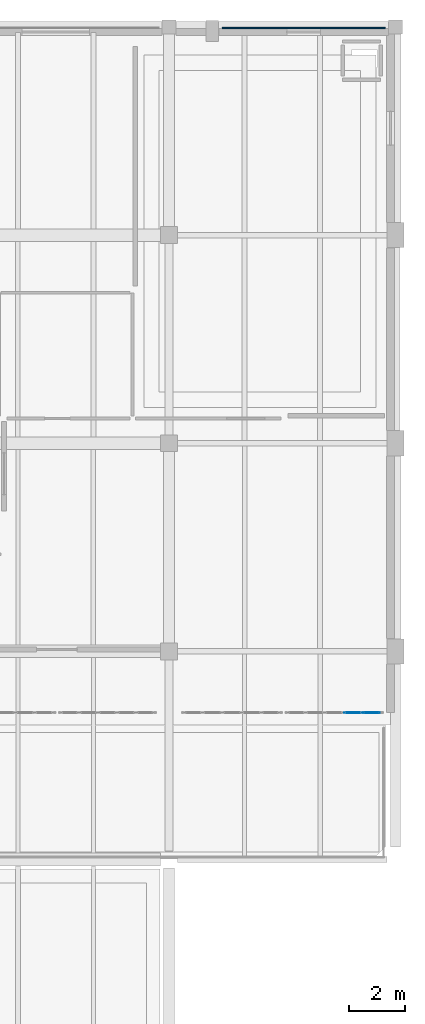
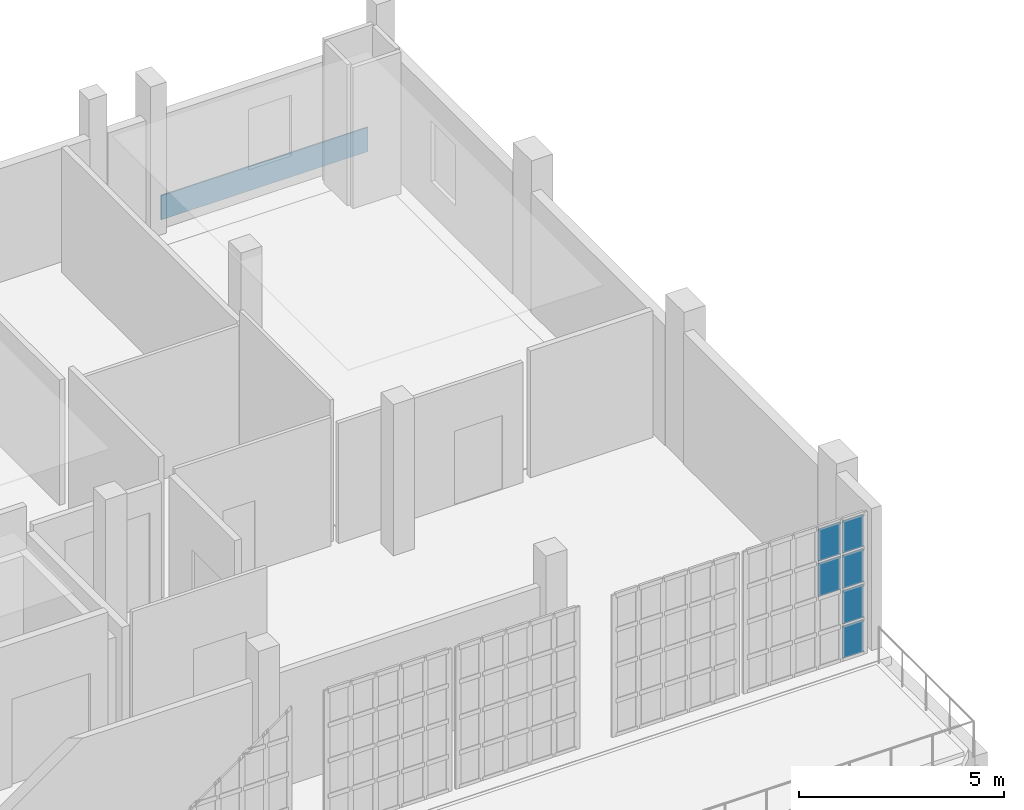
# One storey, part 41 of 56: 7 plates, 1 element without a shape of its own.
"""IFC4 building model written with IfcOpenShell, lengths in metres."""

import ifcopenshell
import ifcopenshell.guid

model = None  # the IFC model being written
_history = None  # IfcOwnerHistory: only IFC2X3 demands one
_inside = {}  # id of a spatial element -> (the spatial element, [elements in it])
_under = {}  # id of a project, library or spatial element -> (it, [spatial elements below it])
_declared = {}  # id of a project -> (the project, [libraries it declares])
_typed = {}  # id of a type object -> (the type object, [elements of that type])
_made_of = {}  # id of a material, layer set ... -> (it, [elements and type objects made of it])


def new_model(schema):
    """Start an empty IFC model of exactly this schema.

    Asked for "IFC4X3", IfcOpenShell would pick the latest addendum, in which some entities
    have other attributes; the version numbers below select the first issue.
    IFC2X3 requires an IfcOwnerHistory on every rooted entity: one is made here for all.
    """
    global model, _history
    if schema == "IFC4X3":
        model = ifcopenshell.file(schema_version=(4, 3, 0, 0))
    else:
        model = ifcopenshell.file(schema=schema)
    _inside.clear()
    _under.clear()
    _declared.clear()
    _typed.clear()
    _made_of.clear()
    _history = None
    if model.schema == "IFC2X3":
        org = make("IfcOrganization", Name="unknown")
        user = make(
            "IfcPersonAndOrganization",
            ThePerson=make("IfcPerson", FamilyName="unknown"),
            TheOrganization=org,
        )
        app = make(
            "IfcApplication",
            ApplicationDeveloper=org,
            Version="unknown",
            ApplicationFullName="unknown",
            ApplicationIdentifier="unknown",
        )
        _history = make(
            "IfcOwnerHistory",
            OwningUser=user,
            OwningApplication=app,
            ChangeAction="ADDED",
            CreationDate=0,
        )
    return model


def make(cls, **values):
    """One entity of the class cls with the attributes given. An attribute that is None is left unset."""
    return model.create_entity(
        cls, **{name: value for name, value in values.items() if value is not None}
    )


def rooted(cls, **values):
    """An entity with a GlobalId (a new one), such as an element, a storey or a relation."""
    return make(cls, GlobalId=ifcopenshell.guid.new(), OwnerHistory=_history, **values)


def si_unit(unit_type, name, prefix=None):
    """IfcSIUnit, for example si_unit("LENGTHUNIT", "METRE", prefix="MILLI")."""
    return make("IfcSIUnit", UnitType=unit_type, Prefix=prefix, Name=name)


def assignment(units):
    """IfcUnitAssignment: the units of a project."""
    return None if units is None else make("IfcUnitAssignment", Units=units)


def point(xyz):
    """IfcCartesianPoint."""
    return None if xyz is None else make("IfcCartesianPoint", Coordinates=xyz)


def direction(xyz):
    """IfcDirection."""
    return None if xyz is None else make("IfcDirection", DirectionRatios=xyz)


def frame(location, z_axis=None, x_axis=None):
    """IfcAxis2Placement3D, a coordinate frame: its origin and axes. An axis left out is left unset."""
    return make(
        "IfcAxis2Placement3D",
        Location=point(location),
        Axis=direction(z_axis),
        RefDirection=direction(x_axis),
    )


def frame_2d(location, x_axis=None):
    """IfcAxis2Placement2D, a coordinate frame in the plane: its origin and x axis."""
    return make(
        "IfcAxis2Placement2D", Location=point(location), RefDirection=direction(x_axis)
    )


def origin():
    """The frame at (0, 0, 0) with its axes left unset."""
    return frame((0.0, 0.0, 0.0))


def origin_2d():
    """The frame at (0, 0) in the plane with its x axis left unset."""
    return frame_2d((0.0, 0.0))


def place(relative_to, where):
    """IfcLocalPlacement: puts the frame where relative to a parent placement (None: the world)."""
    return make(
        "IfcLocalPlacement", PlacementRelTo=relative_to, RelativePlacement=where
    )


def context(
    kind, dimensions, precision=None, world=None, true_north=None, identifier=None
):
    """IfcGeometricRepresentationContext, for example the 3D "Model" context."""
    return make(
        "IfcGeometricRepresentationContext",
        ContextIdentifier=identifier,
        ContextType=kind,
        CoordinateSpaceDimension=dimensions,
        Precision=precision,
        WorldCoordinateSystem=world,
        TrueNorth=true_north,
    )


def subcontext(parent, identifier, kind, view, scale=None):
    """IfcGeometricRepresentationSubContext, for example "Body" below "Model"."""
    return make(
        "IfcGeometricRepresentationSubContext",
        ContextIdentifier=identifier,
        ContextType=kind,
        ParentContext=parent,
        TargetScale=scale,
        TargetView=view,
    )


def project(units=None, contexts=None):
    """IfcProject with its units and contexts."""
    return rooted(
        "IfcProject",
        Name="project",
        RepresentationContexts=contexts,
        UnitsInContext=assignment(units),
    )


def spatial(cls, under=None, at=None, **own):
    """A site, building, storey or space (cls), placed at a placement, below another one or the project."""
    s = rooted(cls, ObjectPlacement=at, **own)
    if under is not None:
        _under.setdefault(under.id(), (under, []))[1].append(s)
    return s


def profile(cls, at=None, kind="AREA", **sizes):
    """A parametric profile (cls). Its sizes go by their IFC names, for example OverallWidth=200.0."""
    return make(cls, ProfileType=kind, Position=at, **sizes)


def rectangle(**sizes):
    """IfcRectangleProfileDef."""
    return profile("IfcRectangleProfileDef", **sizes)


def extrude(swept, where, along, depth):
    """IfcExtrudedAreaSolid: the profile swept, set in the frame where, extruded along a direction by depth."""
    return make(
        "IfcExtrudedAreaSolid",
        SweptArea=swept,
        Position=where,
        ExtrudedDirection=direction(along),
        Depth=depth,
    )


def shape(context_of_items, identifier, shape_type, items):
    """IfcShapeRepresentation: the items that make up one representation, for example the "Body"."""
    return make(
        "IfcShapeRepresentation",
        ContextOfItems=context_of_items,
        RepresentationIdentifier=identifier,
        RepresentationType=shape_type,
        Items=items,
    )


def material(Name=None, Category=None):
    """IfcMaterial."""
    return make("IfcMaterial", Name=Name, Category=Category)


def layer(
    of_material, thickness, ventilated=None, Name=None, Category=None, Priority=None
):
    """IfcMaterialLayer: one layer of a wall or slab, of a material (None: an air gap)."""
    return make(
        "IfcMaterialLayer",
        Material=of_material,
        LayerThickness=thickness,
        IsVentilated=ventilated,
        Name=Name,
        Category=Category,
        Priority=Priority,
    )


def layer_set(layers, Name=None):
    """IfcMaterialLayerSet."""
    return make("IfcMaterialLayerSet", MaterialLayers=layers, LayerSetName=Name)


def made_of(thing, what):
    """Note that an element or type object is made of a material, layer set ...; save() writes the relation."""
    if what is not None:
        _made_of.setdefault(what.id(), (what, []))[1].append(thing)
    return thing


def type_object(cls, material=None, **own):
    """A type object (cls), such as IfcWallType, which elements share."""
    return made_of(rooted(cls, **own), material)


def element(
    cls,
    number,
    at=None,
    inside=None,
    cuts=None,
    type_object=None,
    material=None,
    context=None,
    identifier="Body",
    shape_type=None,
    held_by="IfcProductDefinitionShape",
    body=None,
    shapes=None,
    **own,
):
    """One element of the class cls, such as IfcWall. Its Tag is "e" and its number.

    at: its placement. inside: the storey or other place that contains it. cuts: it is an
    opening in that element (IfcRelVoidsElement). A single representation is given by context,
    identifier, shape_type and body (its items); several are given by shapes. held_by: the class
    of the entity that holds the representations. save() writes the other relations.
    """
    e = rooted(cls, Tag="e%d" % number, ObjectPlacement=at, **own)
    if body is not None:
        shapes = [shape(context, identifier, shape_type, body)]
    if shapes is not None:
        e.Representation = make(held_by, Representations=shapes)
    if inside is not None:
        _inside.setdefault(inside.id(), (inside, []))[1].append(e)
    if cuts is not None:
        rooted(
            "IfcRelVoidsElement", RelatingBuildingElement=cuts, RelatedOpeningElement=e
        )
    if type_object is not None:
        _typed.setdefault(type_object.id(), (type_object, []))[1].append(e)
    return made_of(e, material)


def aggregate(whole, parts):
    """IfcRelAggregates: a whole, such as a stair, and the parts it consists of."""
    return rooted("IfcRelAggregates", RelatingObject=whole, RelatedObjects=parts)


def save(model, path):
    """Write the relations noted so far, then the file.

    IfcRelAggregates (storeys below a building ...), IfcRelContainedInSpatialStructure (elements
    in a storey), IfcRelDefinesByType, IfcRelAssociatesMaterial and IfcRelDeclares: one each for
    every whole, place, type object, material and project.
    """
    for whole, parts in _under.values():
        aggregate(whole, parts)
    for where, things in _inside.values():
        rooted(
            "IfcRelContainedInSpatialStructure",
            RelatedElements=things,
            RelatingStructure=where,
        )
    for kind, things in _typed.values():
        rooted("IfcRelDefinesByType", RelatedObjects=things, RelatingType=kind)
    for what, things in _made_of.values():
        rooted("IfcRelAssociatesMaterial", RelatedObjects=things, RelatingMaterial=what)
    for by, libraries in _declared.values():
        rooted("IfcRelDeclares", RelatingContext=by, RelatedDefinitions=libraries)
    model.write(path)


model = new_model("IFC4")

# Units and contexts
model_context = context("Model", 3, precision=1e-05, world=origin(), true_north=direction((0.0, 1.0)))
body_context = subcontext(model_context, "Body", "Model", "MODEL_VIEW")
ifc_project = project(units=[si_unit("LENGTHUNIT", "METRE"), si_unit("AREAUNIT", "SQUARE_METRE"), si_unit("VOLUMEUNIT", "CUBIC_METRE"), si_unit("PLANEANGLEUNIT", "RADIAN"), si_unit("MASSUNIT", "GRAM", prefix="KILO")], contexts=[model_context])

# Site, building, storey
site_placement = place(None, origin())
site = spatial("IfcSite", under=ifc_project, at=site_placement, CompositionType="ELEMENT")
building_placement = place(site_placement, origin())
building = spatial("IfcBuilding", under=site, at=building_placement, Name="Kaelora Sail Theatre", CompositionType="ELEMENT")
storey_placement = place(building_placement, frame((0.0, 0.0, 14.699951171875)))
storey = spatial("IfcBuildingStorey", under=building, at=storey_placement, Name="L03", CompositionType="ELEMENT", Elevation=14.699951171875)

# Curtain wall, plates
ifc_material_1 = material(Name="Anodised aluminium and solar-control low-E IGU", Category="aluminium")
curtain_wall_type = type_object("IfcCurtainWallType", Name="ARC-CW-CW-NWG", PredefinedType="NOTDEFINED", material=ifc_material_1)
curtain_wall_placement = place(storey_placement, origin())
curtain_wall = element("IfcCurtainWall", 1, at=curtain_wall_placement, inside=storey, type_object=curtain_wall_type, Name="Glazed Foyer/Conservatory Curtain Wall NW4-S-L03-07", PredefinedType="NOTDEFINED")
ifc_material_2 = material(Name="Solar-control laminated low-E glass", Category="glass")
ifc_layer_1 = layer(ifc_material_2, 0.031982421875)
ifc_layer_set_1 = layer_set([ifc_layer_1], Name="Solar-control laminated low-E glass")
plate_type_1 = type_object("IfcPlateType", Name="ARC-CW-PNL", PredefinedType="CURTAIN_PANEL", material=ifc_layer_set_1)
plate_1_placement = place(storey_placement, frame((129.580078125, 88.590087890625, 2.1474609375), z_axis=(0.0, 0.0, 1.0), x_axis=(1.0, 0.0, 0.0)))
plate_1 = element("IfcPlate", 2, at=plate_1_placement, type_object=plate_type_1, Name="CW-NWG panel 4.3", PredefinedType="CURTAIN_PANEL", context=body_context, shape_type="SweptSolid", body=[
    extrude(rectangle(XDim=0.6201171875, YDim=0.031982421875, at=origin_2d()), origin(), (0.0, 0.0, 1.0), 0.986083984375),
])
plate_2_placement = place(storey_placement, frame((129.580078125, 88.590087890625, 3.20361328125), z_axis=(0.0, 0.0, 1.0), x_axis=(1.0, 0.0, 0.0)))
plate_2 = element("IfcPlate", 3, at=plate_2_placement, type_object=plate_type_1, Name="CW-NWG panel 4.4", PredefinedType="CURTAIN_PANEL", context=body_context, shape_type="SweptSolid", body=[
    extrude(rectangle(XDim=0.6201171875, YDim=0.031982421875, at=origin_2d()), origin(), (0.0, 0.0, 1.0), 0.951416015625),
])
plate_3_placement = place(storey_placement, frame((130.2451171875, 88.590087890625, 0.070068359375), z_axis=(0.0, 0.0, 1.0), x_axis=(1.0, 0.0, 0.0)))
plate_3 = element("IfcPlate", 4, at=plate_3_placement, type_object=plate_type_1, Name="CW-NWG panel 5.1", PredefinedType="CURTAIN_PANEL", context=body_context, shape_type="SweptSolid", body=[
    extrude(rectangle(XDim=0.590087890625, YDim=0.031982421875, at=origin_2d()), origin(), (0.0, 0.0, 1.0), 0.951171875),
])
plate_4_placement = place(storey_placement, frame((130.2451171875, 88.590087890625, 1.09130859375), z_axis=(0.0, 0.0, 1.0), x_axis=(1.0, 0.0, 0.0)))
plate_4 = element("IfcPlate", 5, at=plate_4_placement, type_object=plate_type_1, Name="CW-NWG panel 5.2", PredefinedType="CURTAIN_PANEL", context=body_context, shape_type="SweptSolid", body=[
    extrude(rectangle(XDim=0.590087890625, YDim=0.031982421875, at=origin_2d()), origin(), (0.0, 0.0, 1.0), 0.986328125),
])
plate_5_placement = place(storey_placement, frame((130.2451171875, 88.590087890625, 2.1474609375), z_axis=(0.0, 0.0, 1.0), x_axis=(1.0, 0.0, 0.0)))
plate_5 = element("IfcPlate", 6, at=plate_5_placement, type_object=plate_type_1, Name="CW-NWG panel 5.3", PredefinedType="CURTAIN_PANEL", context=body_context, shape_type="SweptSolid", body=[
    extrude(rectangle(XDim=0.590087890625, YDim=0.031982421875, at=origin_2d()), origin(), (0.0, 0.0, 1.0), 0.986083984375),
])
plate_6_placement = place(storey_placement, frame((130.2451171875, 88.590087890625, 3.20361328125), z_axis=(0.0, 0.0, 1.0), x_axis=(1.0, 0.0, 0.0)))
plate_6 = element("IfcPlate", 7, at=plate_6_placement, type_object=plate_type_1, Name="CW-NWG panel 5.4", PredefinedType="CURTAIN_PANEL", context=body_context, shape_type="SweptSolid", body=[
    extrude(rectangle(XDim=0.590087890625, YDim=0.031982421875, at=origin_2d()), origin(), (0.0, 0.0, 1.0), 0.951416015625),
])
aggregate(curtain_wall, [plate_1, plate_2, plate_3, plate_4, plate_5, plate_6])

# Plate
ifc_material_3 = material(Name="Architectural glazed terracotta ceramic panel", Category="masonry")
ifc_layer_2 = layer(ifc_material_3, 0.0400390625)
ifc_layer_set_2 = layer_set([ifc_layer_2], Name="Architectural glazed terracotta ceramic panel")
plate_type_2 = type_object("IfcPlateType", Name="ARC-PL-CLD-TER-40", PredefinedType="SHEET", material=ifc_layer_set_2)
plate_7_placement = place(storey_placement, frame((127.8125, 113.06591796875, 0.06005859375), z_axis=(0.0, 0.0, 1.0), x_axis=(1.0, 0.0, 0.0)))
element("IfcPlate", 8, at=plate_7_placement, inside=storey, type_object=plate_type_2, Name="Postmodern Facade Entablature Spandrel L03 B16", PredefinedType="SHEET", context=body_context, shape_type="SweptSolid", body=[
    extrude(rectangle(XDim=5.824951171875, YDim=0.0400390625, at=origin_2d()), origin(), (0.0, 0.0, 1.0), 0.719970703125),
])

save(model, "model.ifc")
